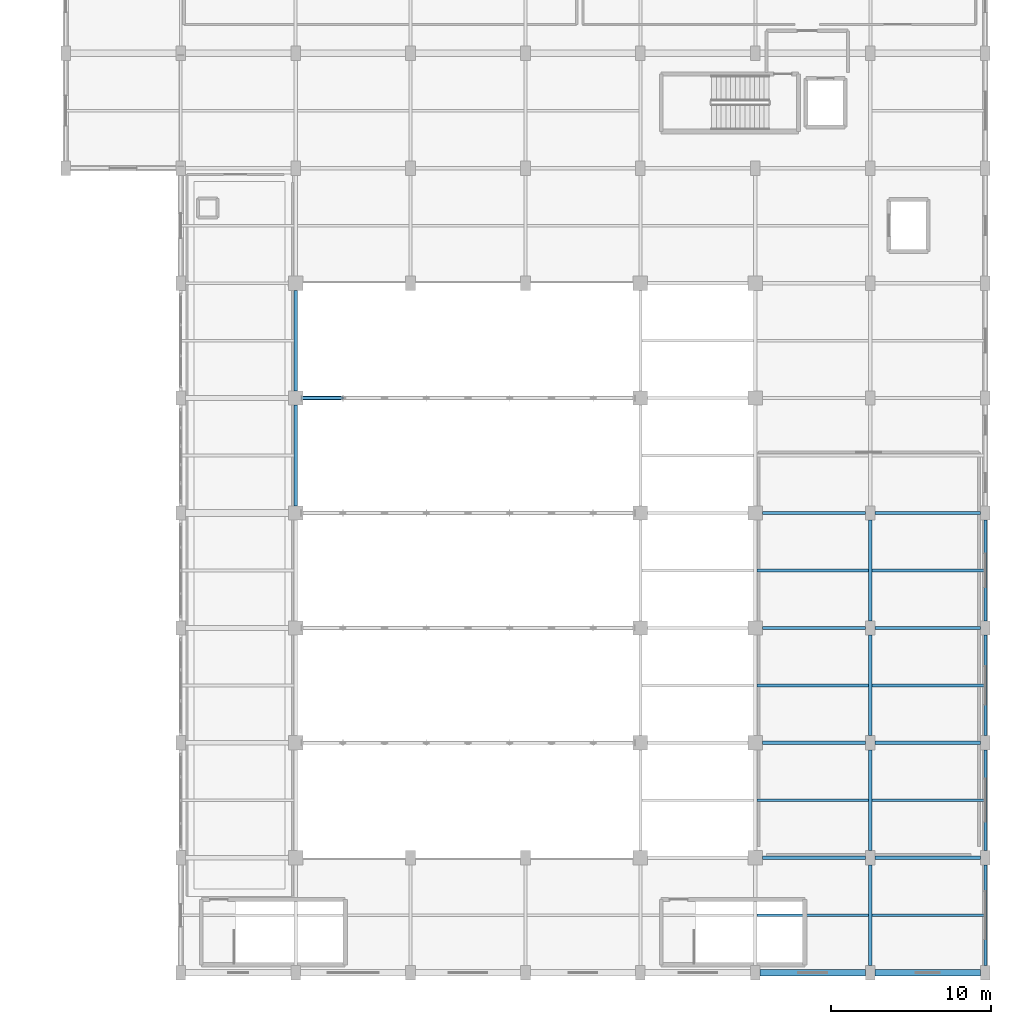
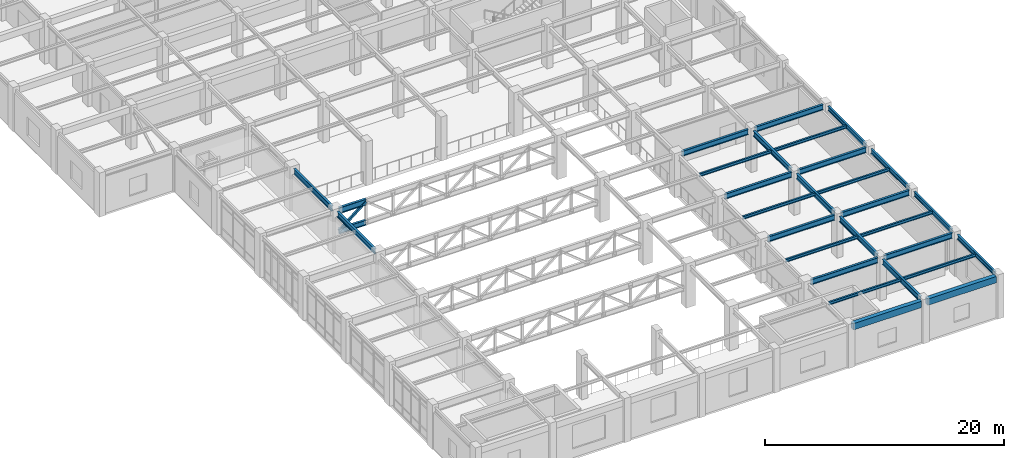
# One storey, part 49 of 106: 28 beams, 3 members.
"""IFC4 building model written with IfcOpenShell, lengths in metres."""

from ifc_helpers import new_model, si_unit, direction, frame, origin, origin_2d, place, context, subcontext, project, spatial, rectangle, hollow_rectangle, i_section, extrude, material, material_profile, profile_set, type_object, element, save


model = new_model("IFC4")

# Units and contexts
model_context = context("Model", 3, precision=1e-05, world=origin(), true_north=direction((0.0, 1.0)))
body_context = subcontext(model_context, "Body", "Model", "MODEL_VIEW")
ifc_project = project(units=[si_unit("LENGTHUNIT", "METRE"), si_unit("AREAUNIT", "SQUARE_METRE"), si_unit("VOLUMEUNIT", "CUBIC_METRE"), si_unit("PLANEANGLEUNIT", "RADIAN"), si_unit("MASSUNIT", "GRAM", prefix="KILO")], contexts=[model_context])

# Site, building, storey
site_placement = place(None, origin())
site = spatial("IfcSite", under=ifc_project, at=site_placement, CompositionType="ELEMENT")
building_placement = place(site_placement, origin())
building = spatial("IfcBuilding", under=site, at=building_placement, Name="Carrowvane Square Congress Hotel", CompositionType="ELEMENT")
storey_placement = place(building_placement, frame((0.0, 0.0, 10.5)))
storey = spatial("IfcBuildingStorey", under=building, at=storey_placement, Name="L02", CompositionType="ELEMENT", Elevation=10.5)

# Beams
ifc_material_1 = material(Name="Steel S355", Category="steel")
ifc_material_profile_1 = material_profile(ifc_material_1, i_section(OverallWidth=0.165771484375, OverallDepth=0.306640625, WebThickness=0.006591796875, FlangeThickness=0.01171875, FilletRadius=0.0087890625, at=origin_2d()), Name="UKB 305x165x46")
ifc_profile_set_1 = profile_set([ifc_material_profile_1], Name="Steel S355")
beam_type_1 = type_object("IfcBeamType", Name="BM-ST-UKB305", PredefinedType="JOIST", material=ifc_profile_set_1)
for number, where, z_axis, x_axis, name in (
    (1, (170.10498046875, 9.0, 4.066650390625), (1.0, 0.0, 0.0), (0.0, 1.0, 0.0), "L03 secondary joist 23-24"),
    (2, (170.10498046875, 16.199951171875, 4.066650390625), (1.0, 0.0, 0.0), (0.0, 1.0, 0.0), "L03 secondary joist 23-24"),
    (3, (170.10498046875, 23.39990234375, 4.066650390625), (1.0, 0.0, 0.0), (0.0, 1.0, 0.0), "L03 secondary joist 23-24"),
    (4, (170.10498046875, 30.60009765625, 4.066650390625), (1.0, 0.0, 0.0), (0.0, 1.0, 0.0), "L03 secondary joist 23-24"),
):
    element("IfcBeam", number, at=place(storey_placement, frame(where, z_axis=z_axis, x_axis=x_axis)), inside=storey, type_object=beam_type_1, Name=name, PredefinedType="JOIST", context=body_context, shape_type="SweptSolid", body=[
        extrude(i_section(OverallWidth=0.165771484375, OverallDepth=0.306640625, WebThickness=0.006591796875, FlangeThickness=0.01171875, FilletRadius=0.0087890625, at=origin_2d()), origin(), (0.0, 0.0, 1.0), 6.989990234375),
    ])
for number, where, z_axis, x_axis, name in (
    (5, (177.304931640625, 9.0, 4.066650390625), (1.0, 0.0, 0.0), (0.0, 1.0, 0.0), "L03 secondary joist 24-25"),
    (6, (177.304931640625, 16.199951171875, 4.066650390625), (1.0, 0.0, 0.0), (0.0, 1.0, 0.0), "L03 secondary joist 24-25"),
    (7, (177.304931640625, 23.39990234375, 4.066650390625), (1.0, 0.0, 0.0), (0.0, 1.0, 0.0), "L03 secondary joist 24-25"),
    (8, (177.304931640625, 30.60009765625, 4.066650390625), (1.0, 0.0, 0.0), (0.0, 1.0, 0.0), "L03 secondary joist 24-25"),
):
    element("IfcBeam", number, at=place(storey_placement, frame(where, z_axis=z_axis, x_axis=x_axis)), inside=storey, type_object=beam_type_1, Name=name, PredefinedType="JOIST", context=body_context, shape_type="SweptSolid", body=[
        extrude(i_section(OverallWidth=0.165771484375, OverallDepth=0.306640625, WebThickness=0.006591796875, FlangeThickness=0.01171875, FilletRadius=0.0087890625, at=origin_2d()), origin(), (0.0, 0.0, 1.0), 6.99951171875),
    ])
ifc_material_2 = material(Name="Steel S355", Category="steel")
ifc_material_profile_2 = material_profile(ifc_material_2, i_section(OverallWidth=0.19140625, OverallDepth=0.4599609375, WebThickness=0.010009765625, FlangeThickness=0.01611328125, FilletRadius=0.01025390625, at=origin_2d()), Name="UKB 457x191x82")
ifc_profile_set_2 = profile_set([ifc_material_profile_2], Name="Steel S355")
beam_type_2 = type_object("IfcBeamType", Name="BM-ST-UKB457", PredefinedType="SPANDREL", material=ifc_profile_set_2)
beam_1_placement = place(storey_placement, frame((184.39990234375, 5.85009765625, 3.989990234375), z_axis=(0.0, 1.0, 0.0), x_axis=(-1.0, 0.0, 0.0)))
element("IfcBeam", 9, at=beam_1_placement, inside=storey, type_object=beam_type_2, Name="L03 girder 25/A-B", PredefinedType="SPANDREL", context=body_context, shape_type="SweptSolid", body=[
    extrude(i_section(OverallWidth=0.19140625, OverallDepth=0.4599609375, WebThickness=0.010009765625, FlangeThickness=0.01611328125, FilletRadius=0.01025390625, at=origin_2d()), origin(), (0.0, 0.0, 1.0), 6.2998046875),
])
for number, where, z_axis, x_axis, name in (
    (10, (184.39990234375, 13.050048828125, 3.989990234375), (0.0, 1.0, 0.0), (-1.0, 0.0, 0.0), "L03 girder 25/B-C"),
    (11, (184.39990234375, 20.25, 3.989990234375), (0.0, 1.0, 0.0), (-1.0, 0.0, 0.0), "L03 girder 25/C-D"),
    (12, (184.39990234375, 27.449951171875, 3.989990234375), (0.0, 1.0, 0.0), (-1.0, 0.0, 0.0), "L03 girder 25/D-E"),
):
    element("IfcBeam", number, at=place(storey_placement, frame(where, z_axis=z_axis, x_axis=x_axis)), inside=storey, type_object=beam_type_2, Name=name, PredefinedType="SPANDREL", context=body_context, shape_type="SweptSolid", body=[
        extrude(i_section(OverallWidth=0.19140625, OverallDepth=0.4599609375, WebThickness=0.010009765625, FlangeThickness=0.01611328125, FilletRadius=0.01025390625, at=origin_2d()), origin(), (0.0, 0.0, 1.0), 6.300048828125),
    ])
ifc_material_3 = material(Name="Steel S355", Category="steel")
ifc_material_profile_3 = material_profile(ifc_material_3, i_section(OverallWidth=0.2099609375, OverallDepth=0.53662109375, WebThickness=0.0107421875, FlangeThickness=0.017333984375, FilletRadius=0.0126953125, at=origin_2d()), Name="UKB 533x210x101")
ifc_profile_set_3 = profile_set([ifc_material_profile_3], Name="Steel S355")
beam_type_3 = type_object("IfcBeamType", Name="BM-ST-UKB533", PredefinedType="USERDEFINED", material=ifc_profile_set_3)
beam_2_placement = place(storey_placement, frame((170.449951171875, 12.60009765625, 3.95166015625), z_axis=(1.0, 0.0, 0.0), x_axis=(0.0, 1.0, 0.0)))
element("IfcBeam", 13, at=beam_2_placement, inside=storey, type_object=beam_type_3, Name="L03 girder B/23-24", ObjectType="GIRDER", PredefinedType="USERDEFINED", context=body_context, shape_type="SweptSolid", body=[
    extrude(i_section(OverallWidth=0.2099609375, OverallDepth=0.53662109375, WebThickness=0.0107421875, FlangeThickness=0.017333984375, FilletRadius=0.0126953125, at=origin_2d()), origin(), (0.0, 0.0, 1.0), 6.449951171875),
])
beam_3_placement = place(storey_placement, frame((177.5, 12.60009765625, 3.95166015625), z_axis=(1.0, 0.0, 0.0), x_axis=(0.0, 1.0, 0.0)))
element("IfcBeam", 14, at=beam_3_placement, inside=storey, type_object=beam_type_3, Name="L03 girder B/24-25", ObjectType="GIRDER", PredefinedType="USERDEFINED", context=body_context, shape_type="SweptSolid", body=[
    extrude(i_section(OverallWidth=0.2099609375, OverallDepth=0.53662109375, WebThickness=0.0107421875, FlangeThickness=0.017333984375, FilletRadius=0.0126953125, at=origin_2d()), origin(), (0.0, 0.0, 1.0), 6.60009765625),
])
beam_4_placement = place(storey_placement, frame((170.449951171875, 19.800048828125, 3.95166015625), z_axis=(1.0, 0.0, 0.0), x_axis=(0.0, 1.0, 0.0)))
element("IfcBeam", 15, at=beam_4_placement, inside=storey, type_object=beam_type_3, Name="L03 girder C/23-24", ObjectType="GIRDER", PredefinedType="USERDEFINED", context=body_context, shape_type="SweptSolid", body=[
    extrude(i_section(OverallWidth=0.2099609375, OverallDepth=0.53662109375, WebThickness=0.0107421875, FlangeThickness=0.017333984375, FilletRadius=0.0126953125, at=origin_2d()), origin(), (0.0, 0.0, 1.0), 6.449951171875),
])
beam_5_placement = place(storey_placement, frame((177.5, 19.800048828125, 3.95166015625), z_axis=(1.0, 0.0, 0.0), x_axis=(0.0, 1.0, 0.0)))
element("IfcBeam", 16, at=beam_5_placement, inside=storey, type_object=beam_type_3, Name="L03 girder C/24-25", ObjectType="GIRDER", PredefinedType="USERDEFINED", context=body_context, shape_type="SweptSolid", body=[
    extrude(i_section(OverallWidth=0.2099609375, OverallDepth=0.53662109375, WebThickness=0.0107421875, FlangeThickness=0.017333984375, FilletRadius=0.0126953125, at=origin_2d()), origin(), (0.0, 0.0, 1.0), 6.60009765625),
])
beam_6_placement = place(storey_placement, frame((170.449951171875, 27.0, 3.95166015625), z_axis=(1.0, 0.0, 0.0), x_axis=(0.0, 1.0, 0.0)))
element("IfcBeam", 17, at=beam_6_placement, inside=storey, type_object=beam_type_3, Name="L03 girder D/23-24", ObjectType="GIRDER", PredefinedType="USERDEFINED", context=body_context, shape_type="SweptSolid", body=[
    extrude(i_section(OverallWidth=0.2099609375, OverallDepth=0.53662109375, WebThickness=0.0107421875, FlangeThickness=0.017333984375, FilletRadius=0.0126953125, at=origin_2d()), origin(), (0.0, 0.0, 1.0), 6.449951171875),
])
beam_7_placement = place(storey_placement, frame((177.5, 27.0, 3.95166015625), z_axis=(1.0, 0.0, 0.0), x_axis=(0.0, 1.0, 0.0)))
element("IfcBeam", 18, at=beam_7_placement, inside=storey, type_object=beam_type_3, Name="L03 girder D/24-25", ObjectType="GIRDER", PredefinedType="USERDEFINED", context=body_context, shape_type="SweptSolid", body=[
    extrude(i_section(OverallWidth=0.2099609375, OverallDepth=0.53662109375, WebThickness=0.0107421875, FlangeThickness=0.017333984375, FilletRadius=0.0126953125, at=origin_2d()), origin(), (0.0, 0.0, 1.0), 6.60009765625),
])
beam_8_placement = place(storey_placement, frame((170.449951171875, 34.199951171875, 3.95166015625), z_axis=(1.0, 0.0, 0.0), x_axis=(0.0, 1.0, 0.0)))
element("IfcBeam", 19, at=beam_8_placement, inside=storey, type_object=beam_type_3, Name="L03 girder E/23-24", ObjectType="GIRDER", PredefinedType="USERDEFINED", context=body_context, shape_type="SweptSolid", body=[
    extrude(i_section(OverallWidth=0.2099609375, OverallDepth=0.53662109375, WebThickness=0.0107421875, FlangeThickness=0.017333984375, FilletRadius=0.0126953125, at=origin_2d()), origin(), (0.0, 0.0, 1.0), 6.449951171875),
])
beam_9_placement = place(storey_placement, frame((177.5, 34.199951171875, 3.95166015625), z_axis=(1.0, 0.0, 0.0), x_axis=(0.0, 1.0, 0.0)))
element("IfcBeam", 20, at=beam_9_placement, inside=storey, type_object=beam_type_3, Name="L03 girder E/24-25", ObjectType="GIRDER", PredefinedType="USERDEFINED", context=body_context, shape_type="SweptSolid", body=[
    extrude(i_section(OverallWidth=0.2099609375, OverallDepth=0.53662109375, WebThickness=0.0107421875, FlangeThickness=0.017333984375, FilletRadius=0.0126953125, at=origin_2d()), origin(), (0.0, 0.0, 1.0), 6.60009765625),
])
beam_10_placement = place(storey_placement, frame((141.199951171875, 34.64990234375, 3.95166015625), z_axis=(0.0, 1.0, 0.0), x_axis=(-1.0, 0.0, 0.0)))
element("IfcBeam", 21, at=beam_10_placement, inside=storey, type_object=beam_type_3, Name="L03 girder 19/E-F", ObjectType="GIRDER", PredefinedType="USERDEFINED", context=body_context, shape_type="SweptSolid", body=[
    extrude(i_section(OverallWidth=0.2099609375, OverallDepth=0.53662109375, WebThickness=0.0107421875, FlangeThickness=0.017333984375, FilletRadius=0.0126953125, at=origin_2d()), origin(), (0.0, 0.0, 1.0), 6.300048828125),
])
for number, where, z_axis, x_axis, name in (
    (22, (141.199951171875, 41.85009765625, 3.95166015625), (0.0, 1.0, 0.0), (-1.0, 0.0, 0.0), "L03 girder 19/F-G"),
    (23, (177.199951171875, 5.85009765625, 3.95166015625), (0.0, 1.0, 0.0), (-1.0, 0.0, 0.0), "L03 girder 24/A-B"),
):
    element("IfcBeam", number, at=place(storey_placement, frame(where, z_axis=z_axis, x_axis=x_axis)), inside=storey, type_object=beam_type_3, Name=name, ObjectType="GIRDER", PredefinedType="USERDEFINED", context=body_context, shape_type="SweptSolid", body=[
        extrude(i_section(OverallWidth=0.2099609375, OverallDepth=0.53662109375, WebThickness=0.0107421875, FlangeThickness=0.017333984375, FilletRadius=0.0126953125, at=origin_2d()), origin(), (0.0, 0.0, 1.0), 6.2998046875),
    ])
for number, where, z_axis, x_axis, name in (
    (24, (177.199951171875, 13.050048828125, 3.95166015625), (0.0, 1.0, 0.0), (-1.0, 0.0, 0.0), "L03 girder 24/B-C"),
    (25, (177.199951171875, 20.25, 3.95166015625), (0.0, 1.0, 0.0), (-1.0, 0.0, 0.0), "L03 girder 24/C-D"),
    (26, (177.199951171875, 27.449951171875, 3.95166015625), (0.0, 1.0, 0.0), (-1.0, 0.0, 0.0), "L03 girder 24/D-E"),
):
    element("IfcBeam", number, at=place(storey_placement, frame(where, z_axis=z_axis, x_axis=x_axis)), inside=storey, type_object=beam_type_3, Name=name, ObjectType="GIRDER", PredefinedType="USERDEFINED", context=body_context, shape_type="SweptSolid", body=[
        extrude(i_section(OverallWidth=0.2099609375, OverallDepth=0.53662109375, WebThickness=0.0107421875, FlangeThickness=0.017333984375, FilletRadius=0.0126953125, at=origin_2d()), origin(), (0.0, 0.0, 1.0), 6.300048828125),
    ])

# Members
ifc_material_4 = material(Name="Steel S355", Category="steel")
ifc_material_profile_4 = material_profile(ifc_material_4, hollow_rectangle(XDim=0.199951171875, YDim=0.199951171875, WallThickness=0.012451171875, at=origin_2d()), Name="SHS 200x200x12.5")
ifc_profile_set_4 = profile_set([ifc_material_profile_4], Name="Steel S355")
member_type_1 = type_object("IfcMemberType", Name="MEM-BR-SHS200", PredefinedType="BRACE", material=ifc_profile_set_4)
member_1_placement = place(storey_placement, frame((141.550048828125, 41.39990234375, 1.800048828125), z_axis=(0.777980816374, 0.0, 0.628288030567), x_axis=(0.0, 1.0, 0.0)))
element("IfcMember", 27, at=member_1_placement, inside=storey, type_object=member_type_1, Name="Ballroom truss diagonal 96", PredefinedType="BRACE", context=body_context, shape_type="SweptSolid", body=[
    extrude(hollow_rectangle(XDim=0.199951171875, YDim=0.199951171875, WallThickness=0.012451171875, at=origin_2d()), origin(), (0.0, 0.0, 1.0), 3.358154296875),
])
ifc_material_5 = material(Name="Steel S355", Category="steel")
ifc_material_profile_5 = material_profile(ifc_material_5, i_section(OverallWidth=0.2099609375, OverallDepth=0.53662109375, WebThickness=0.0107421875, FlangeThickness=0.017333984375, FilletRadius=0.0126953125, at=origin_2d()), Name="UKB 533x210x101")
ifc_profile_set_5 = profile_set([ifc_material_profile_5], Name="Steel S355")
member_type_2 = type_object("IfcMemberType", Name="MEM-TC-UKB533", PredefinedType="CHORD", material=ifc_profile_set_5)
member_2_placement = place(storey_placement, frame((141.550048828125, 41.39990234375, 1.800048828125), z_axis=(1.0, 0.0, 0.0), x_axis=(0.0, 1.0, 0.0)))
element("IfcMember", 28, at=member_2_placement, inside=storey, type_object=member_type_2, Name="Ballroom truss bottom chord 95", PredefinedType="CHORD", context=body_context, shape_type="SweptSolid", body=[
    extrude(i_section(OverallWidth=0.2099609375, OverallDepth=0.53662109375, WebThickness=0.0107421875, FlangeThickness=0.017333984375, FilletRadius=0.0126953125, at=origin_2d()), origin(), (0.0, 0.0, 1.0), 2.612548828125),
])
ifc_material_6 = material(Name="Steel S355", Category="steel")
ifc_material_profile_6 = material_profile(ifc_material_6, i_section(OverallWidth=0.230224609375, OverallDepth=0.6171875, WebThickness=0.01318359375, FlangeThickness=0.022216796875, FilletRadius=0.0126953125, at=origin_2d()), Name="UKB 610x229x140")
ifc_profile_set_6 = profile_set([ifc_material_profile_6], Name="Steel S355")
member_type_3 = type_object("IfcMemberType", Name="MEM-TC-UKB610", PredefinedType="CHORD", material=ifc_profile_set_6)
member_3_placement = place(storey_placement, frame((141.550048828125, 41.39990234375, 3.909912109375), z_axis=(1.0, 0.0, 0.0), x_axis=(0.0, 1.0, 0.0)))
element("IfcMember", 29, at=member_3_placement, inside=storey, type_object=member_type_3, Name="Ballroom truss top chord 94", PredefinedType="CHORD", context=body_context, shape_type="SweptSolid", body=[
    extrude(i_section(OverallWidth=0.230224609375, OverallDepth=0.6171875, WebThickness=0.01318359375, FlangeThickness=0.022216796875, FilletRadius=0.0126953125, at=origin_2d()), origin(), (0.0, 0.0, 1.0), 2.612548828125),
])

# Beams
ifc_material_7 = material(Name="Concrete C35/45", Category="concrete")
ifc_material_profile_7 = material_profile(ifc_material_7, rectangle(XDim=0.39990234375, YDim=0.64990234375, at=origin_2d()), Name="RC 400x650")
ifc_profile_set_7 = profile_set([ifc_material_profile_7], Name="Concrete C35/45")
beam_type_4 = type_object("IfcBeamType", Name="SP-RC-400x650", PredefinedType="SPANDREL", material=ifc_profile_set_7)
beam_11_placement = place(storey_placement, frame((170.300048828125, 5.39990234375, 3.89501953125), z_axis=(1.0, 0.0, 0.0), x_axis=(0.0, 1.0, 0.0)))
element("IfcBeam", 30, at=beam_11_placement, inside=storey, type_object=beam_type_4, Name="L03 girder A/23-24", PredefinedType="SPANDREL", context=body_context, shape_type="SweptSolid", body=[
    extrude(rectangle(XDim=0.39990234375, YDim=0.64990234375, at=origin_2d()), origin(), (0.0, 0.0, 1.0), 6.599853515625),
])
beam_12_placement = place(storey_placement, frame((177.5, 5.39990234375, 3.89501953125), z_axis=(1.0, 0.0, 0.0), x_axis=(0.0, 1.0, 0.0)))
element("IfcBeam", 31, at=beam_12_placement, inside=storey, type_object=beam_type_4, Name="L03 girder A/24-25", PredefinedType="SPANDREL", context=body_context, shape_type="SweptSolid", body=[
    extrude(rectangle(XDim=0.39990234375, YDim=0.64990234375, at=origin_2d()), origin(), (0.0, 0.0, 1.0), 6.60009765625),
])

save(model, "model.ifc")
